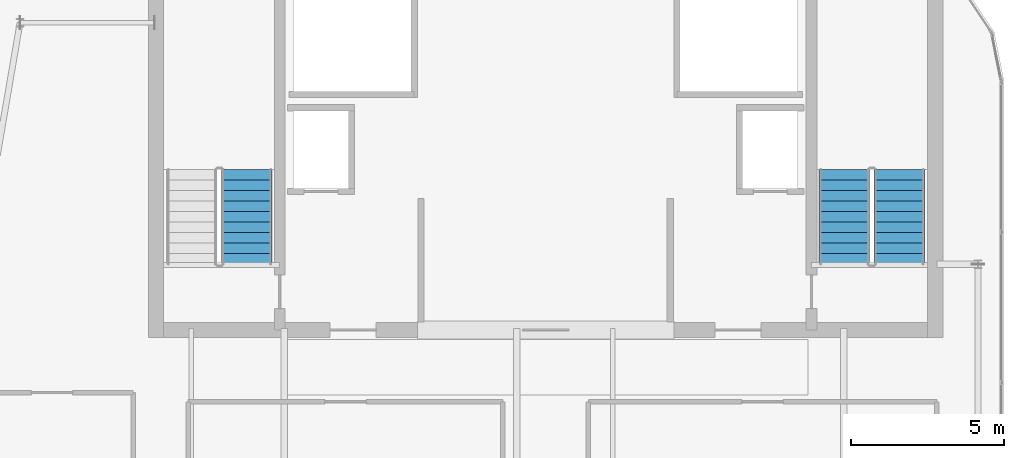
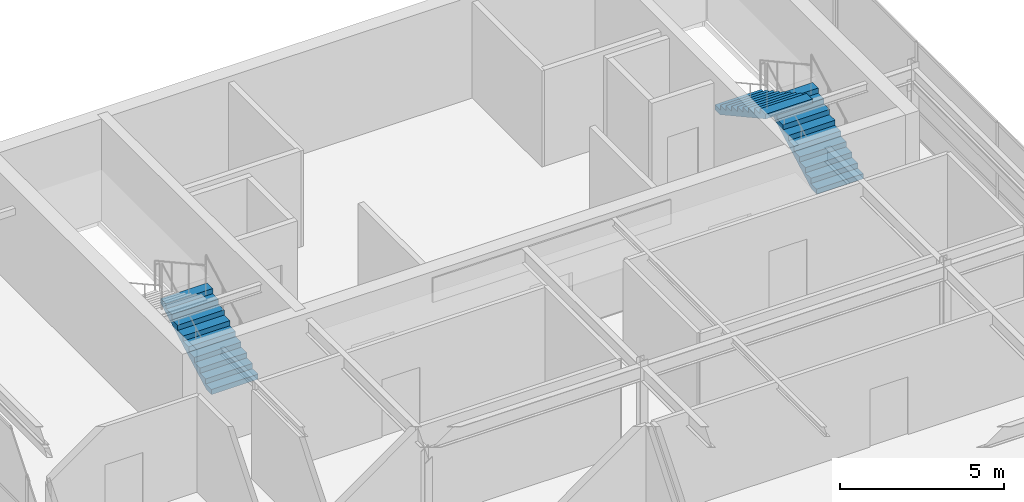
# One storey, part 35 of 36: 3 stair flights, 2 elements without a shape of their own.
"""IFC4 building model written with IfcOpenShell, lengths in metres."""

import ifcopenshell
import ifcopenshell.guid

model = None  # the IFC model being written
_history = None  # IfcOwnerHistory: only IFC2X3 demands one
_inside = {}  # id of a spatial element -> (the spatial element, [elements in it])
_under = {}  # id of a project, library or spatial element -> (it, [spatial elements below it])
_declared = {}  # id of a project -> (the project, [libraries it declares])
_typed = {}  # id of a type object -> (the type object, [elements of that type])
_made_of = {}  # id of a material, layer set ... -> (it, [elements and type objects made of it])


def new_model(schema):
    """Start an empty IFC model of exactly this schema.

    Asked for "IFC4X3", IfcOpenShell would pick the latest addendum, in which some entities
    have other attributes; the version numbers below select the first issue.
    IFC2X3 requires an IfcOwnerHistory on every rooted entity: one is made here for all.
    """
    global model, _history
    if schema == "IFC4X3":
        model = ifcopenshell.file(schema_version=(4, 3, 0, 0))
    else:
        model = ifcopenshell.file(schema=schema)
    _inside.clear()
    _under.clear()
    _declared.clear()
    _typed.clear()
    _made_of.clear()
    _history = None
    if model.schema == "IFC2X3":
        org = make("IfcOrganization", Name="unknown")
        user = make(
            "IfcPersonAndOrganization",
            ThePerson=make("IfcPerson", FamilyName="unknown"),
            TheOrganization=org,
        )
        app = make(
            "IfcApplication",
            ApplicationDeveloper=org,
            Version="unknown",
            ApplicationFullName="unknown",
            ApplicationIdentifier="unknown",
        )
        _history = make(
            "IfcOwnerHistory",
            OwningUser=user,
            OwningApplication=app,
            ChangeAction="ADDED",
            CreationDate=0,
        )
    return model


def make(cls, **values):
    """One entity of the class cls with the attributes given. An attribute that is None is left unset."""
    return model.create_entity(
        cls, **{name: value for name, value in values.items() if value is not None}
    )


def rooted(cls, **values):
    """An entity with a GlobalId (a new one), such as an element, a storey or a relation."""
    return make(cls, GlobalId=ifcopenshell.guid.new(), OwnerHistory=_history, **values)


def si_unit(unit_type, name, prefix=None):
    """IfcSIUnit, for example si_unit("LENGTHUNIT", "METRE", prefix="MILLI")."""
    return make("IfcSIUnit", UnitType=unit_type, Prefix=prefix, Name=name)


def assignment(units):
    """IfcUnitAssignment: the units of a project."""
    return None if units is None else make("IfcUnitAssignment", Units=units)


def point(xyz):
    """IfcCartesianPoint."""
    return None if xyz is None else make("IfcCartesianPoint", Coordinates=xyz)


def direction(xyz):
    """IfcDirection."""
    return None if xyz is None else make("IfcDirection", DirectionRatios=xyz)


def frame(location, z_axis=None, x_axis=None):
    """IfcAxis2Placement3D, a coordinate frame: its origin and axes. An axis left out is left unset."""
    return make(
        "IfcAxis2Placement3D",
        Location=point(location),
        Axis=direction(z_axis),
        RefDirection=direction(x_axis),
    )


def origin():
    """The frame at (0, 0, 0) with its axes left unset."""
    return frame((0.0, 0.0, 0.0))


def place(relative_to, where):
    """IfcLocalPlacement: puts the frame where relative to a parent placement (None: the world)."""
    return make(
        "IfcLocalPlacement", PlacementRelTo=relative_to, RelativePlacement=where
    )


def context(
    kind, dimensions, precision=None, world=None, true_north=None, identifier=None
):
    """IfcGeometricRepresentationContext, for example the 3D "Model" context."""
    return make(
        "IfcGeometricRepresentationContext",
        ContextIdentifier=identifier,
        ContextType=kind,
        CoordinateSpaceDimension=dimensions,
        Precision=precision,
        WorldCoordinateSystem=world,
        TrueNorth=true_north,
    )


def subcontext(parent, identifier, kind, view, scale=None):
    """IfcGeometricRepresentationSubContext, for example "Body" below "Model"."""
    return make(
        "IfcGeometricRepresentationSubContext",
        ContextIdentifier=identifier,
        ContextType=kind,
        ParentContext=parent,
        TargetScale=scale,
        TargetView=view,
    )


def project(units=None, contexts=None):
    """IfcProject with its units and contexts."""
    return rooted(
        "IfcProject",
        Name="project",
        RepresentationContexts=contexts,
        UnitsInContext=assignment(units),
    )


def spatial(cls, under=None, at=None, **own):
    """A site, building, storey or space (cls), placed at a placement, below another one or the project."""
    s = rooted(cls, ObjectPlacement=at, **own)
    if under is not None:
        _under.setdefault(under.id(), (under, []))[1].append(s)
    return s


def polyline(points):
    """IfcPolyline through the points."""
    return make("IfcPolyline", Points=[point(p) for p in points])


def outline(outer, holes=None, kind="AREA"):
    """IfcArbitraryClosedProfileDef: a profile drawn as a closed curve; with holes, ...WithVoids."""
    if holes is None:
        return make("IfcArbitraryClosedProfileDef", ProfileType=kind, OuterCurve=outer)
    return make(
        "IfcArbitraryProfileDefWithVoids",
        ProfileType=kind,
        OuterCurve=outer,
        InnerCurves=holes,
    )


def extrude(swept, where, along, depth):
    """IfcExtrudedAreaSolid: the profile swept, set in the frame where, extruded along a direction by depth."""
    return make(
        "IfcExtrudedAreaSolid",
        SweptArea=swept,
        Position=where,
        ExtrudedDirection=direction(along),
        Depth=depth,
    )


def shape(context_of_items, identifier, shape_type, items):
    """IfcShapeRepresentation: the items that make up one representation, for example the "Body"."""
    return make(
        "IfcShapeRepresentation",
        ContextOfItems=context_of_items,
        RepresentationIdentifier=identifier,
        RepresentationType=shape_type,
        Items=items,
    )


def material(Name=None, Category=None):
    """IfcMaterial."""
    return make("IfcMaterial", Name=Name, Category=Category)


def made_of(thing, what):
    """Note that an element or type object is made of a material, layer set ...; save() writes the relation."""
    if what is not None:
        _made_of.setdefault(what.id(), (what, []))[1].append(thing)
    return thing


def type_object(cls, material=None, **own):
    """A type object (cls), such as IfcWallType, which elements share."""
    return made_of(rooted(cls, **own), material)


def element(
    cls,
    number,
    at=None,
    inside=None,
    cuts=None,
    type_object=None,
    material=None,
    context=None,
    identifier="Body",
    shape_type=None,
    held_by="IfcProductDefinitionShape",
    body=None,
    shapes=None,
    **own,
):
    """One element of the class cls, such as IfcWall. Its Tag is "e" and its number.

    at: its placement. inside: the storey or other place that contains it. cuts: it is an
    opening in that element (IfcRelVoidsElement). A single representation is given by context,
    identifier, shape_type and body (its items); several are given by shapes. held_by: the class
    of the entity that holds the representations. save() writes the other relations.
    """
    e = rooted(cls, Tag="e%d" % number, ObjectPlacement=at, **own)
    if body is not None:
        shapes = [shape(context, identifier, shape_type, body)]
    if shapes is not None:
        e.Representation = make(held_by, Representations=shapes)
    if inside is not None:
        _inside.setdefault(inside.id(), (inside, []))[1].append(e)
    if cuts is not None:
        rooted(
            "IfcRelVoidsElement", RelatingBuildingElement=cuts, RelatedOpeningElement=e
        )
    if type_object is not None:
        _typed.setdefault(type_object.id(), (type_object, []))[1].append(e)
    return made_of(e, material)


def aggregate(whole, parts):
    """IfcRelAggregates: a whole, such as a stair, and the parts it consists of."""
    return rooted("IfcRelAggregates", RelatingObject=whole, RelatedObjects=parts)


def save(model, path):
    """Write the relations noted so far, then the file.

    IfcRelAggregates (storeys below a building ...), IfcRelContainedInSpatialStructure (elements
    in a storey), IfcRelDefinesByType, IfcRelAssociatesMaterial and IfcRelDeclares: one each for
    every whole, place, type object, material and project.
    """
    for whole, parts in _under.values():
        aggregate(whole, parts)
    for where, things in _inside.values():
        rooted(
            "IfcRelContainedInSpatialStructure",
            RelatedElements=things,
            RelatingStructure=where,
        )
    for kind, things in _typed.values():
        rooted("IfcRelDefinesByType", RelatedObjects=things, RelatingType=kind)
    for what, things in _made_of.values():
        rooted("IfcRelAssociatesMaterial", RelatedObjects=things, RelatingMaterial=what)
    for by, libraries in _declared.values():
        rooted("IfcRelDeclares", RelatingContext=by, RelatedDefinitions=libraries)
    model.write(path)


model = new_model("IFC4")

# Units and contexts
model_context = context("Model", 3, precision=1e-05, world=origin(), true_north=direction((0.0, 1.0)))
body_context = subcontext(model_context, "Body", "Model", "MODEL_VIEW")
ifc_project = project(units=[si_unit("LENGTHUNIT", "METRE"), si_unit("AREAUNIT", "SQUARE_METRE"), si_unit("VOLUMEUNIT", "CUBIC_METRE"), si_unit("PLANEANGLEUNIT", "RADIAN"), si_unit("MASSUNIT", "GRAM", prefix="KILO")], contexts=[model_context])

# Site, building, storey
site_placement = place(None, origin())
site = spatial("IfcSite", under=ifc_project, at=site_placement, CompositionType="ELEMENT")
building_placement = place(site_placement, origin())
building = spatial("IfcBuilding", under=site, at=building_placement, Name="Tolvann Quenvar Hotel", CompositionType="ELEMENT")
storey_placement = place(building_placement, frame((0.0, 0.0, 298.550048828125)))
storey = spatial("IfcBuildingStorey", under=building, at=storey_placement, Name="L79", CompositionType="ELEMENT", Elevation=298.550048828125)

# Stair, stair flight
ifc_material = material(Name="Concrete N40 (40 MPa)", Category="concrete")
stair_type = type_object("IfcStairType", Name="STAIR", PredefinedType="HALF_TURN_STAIR", material=ifc_material)
stair_1_placement = place(storey_placement, origin())
stair_1 = element("IfcStair", 1, at=stair_1_placement, inside=storey, type_object=stair_type, Name="L79 ST-C1", PredefinedType="HALF_TURN_STAIR")
stair_flight_type = type_object("IfcStairFlightType", Name="STAIR_FLIGHT", PredefinedType="STRAIGHT", material=ifc_material)
stair_flight_1_placement = place(storey_placement, frame((13.22509765625, 34.0, 0.0), z_axis=(0.0, 0.0, 1.0), x_axis=(0.0, 1.0, 0.0)))
stair_flight_1 = element("IfcStairFlight", 2, at=stair_flight_1_placement, type_object=stair_flight_type, Name="ST-C1 flight 1", NumberOfRisers=10, NumberOfTreads=9, PredefinedType="STRAIGHT", RiserHeight=0.19, TreadLength=0.345, context=body_context, shape_type="SweptSolid", body=[
    extrude(outline(polyline([(0.0, 0.0), (0.0, 0.18994140625), (0.344970703125, 0.18994140625), (0.344970703125, 0.3798828125), (0.68994140625, 0.3798828125), (0.68994140625, 0.570068359375), (1.034912109375, 0.570068359375), (1.034912109375, 0.760009765625), (1.3798828125, 0.760009765625), (1.3798828125, 0.949951171875), (1.72509765625, 0.949951171875), (1.72509765625, 1.139892578125), (2.070068359375, 1.139892578125), (2.070068359375, 1.330078125), (2.4150390625, 1.330078125), (2.4150390625, 1.52001953125), (2.760009765625, 1.52001953125), (2.760009765625, 1.7099609375), (3.10498046875, 1.7099609375), (3.10498046875, 1.89990234375), (3.10498046875, 1.538818359375), (0.310791015625, 0.0), (0.0, 0.0)])), frame((0.0, 0.824951171875, 0.0), z_axis=(0.0, -1.0, 0.0), x_axis=(1.0, 0.0, 0.0)), (0.0, 0.0, 1.0), 1.64990234375),
])
aggregate(stair_1, [stair_flight_1])

# Stair, stair flights
stair_2_placement = place(storey_placement, origin())
stair_2 = element("IfcStair", 3, at=stair_2_placement, inside=storey, type_object=stair_type, Name="L79 ST-C2", PredefinedType="HALF_TURN_STAIR")
stair_flight_2_placement = place(storey_placement, frame((34.574951171875, 34.0, 0.0), z_axis=(0.0, 0.0, 1.0), x_axis=(0.0, 1.0, 0.0)))
stair_flight_2 = element("IfcStairFlight", 4, at=stair_flight_2_placement, type_object=stair_flight_type, Name="ST-C2 flight 1", NumberOfRisers=10, NumberOfTreads=9, PredefinedType="STRAIGHT", RiserHeight=0.19, TreadLength=0.345, context=body_context, shape_type="SweptSolid", body=[
    extrude(outline(polyline([(0.0, 0.0), (0.0, 0.18994140625), (0.344970703125, 0.18994140625), (0.344970703125, 0.3798828125), (0.68994140625, 0.3798828125), (0.68994140625, 0.570068359375), (1.034912109375, 0.570068359375), (1.034912109375, 0.760009765625), (1.3798828125, 0.760009765625), (1.3798828125, 0.949951171875), (1.72509765625, 0.949951171875), (1.72509765625, 1.139892578125), (2.070068359375, 1.139892578125), (2.070068359375, 1.330078125), (2.4150390625, 1.330078125), (2.4150390625, 1.52001953125), (2.760009765625, 1.52001953125), (2.760009765625, 1.7099609375), (3.10498046875, 1.7099609375), (3.10498046875, 1.89990234375), (3.10498046875, 1.538818359375), (0.310791015625, 0.0), (0.0, 0.0)])), frame((0.0, 0.824951171875, 0.0), z_axis=(0.0, -1.0, 0.0), x_axis=(1.0, 0.0, 0.0)), (0.0, 0.0, 1.0), 1.64990234375),
])
stair_flight_3_placement = place(storey_placement, frame((32.77490234375, 37.10498046875, 1.89990234375), z_axis=(0.0, 0.0, 1.0), x_axis=(0.0, -1.0, 0.0)))
stair_flight_3 = element("IfcStairFlight", 5, at=stair_flight_3_placement, type_object=stair_flight_type, Name="ST-C2 flight 2", NumberOfRisers=10, NumberOfTreads=9, PredefinedType="STRAIGHT", RiserHeight=0.19, TreadLength=0.345, context=body_context, shape_type="SweptSolid", body=[
    extrude(outline(polyline([(0.0, 0.0), (0.0, 0.18994140625), (0.344970703125, 0.18994140625), (0.344970703125, 0.3798828125), (0.68994140625, 0.3798828125), (0.68994140625, 0.570068359375), (1.034912109375, 0.570068359375), (1.034912109375, 0.760009765625), (1.3798828125, 0.760009765625), (1.3798828125, 0.949951171875), (1.72509765625, 0.949951171875), (1.72509765625, 1.139892578125), (2.070068359375, 1.139892578125), (2.070068359375, 1.330078125), (2.4150390625, 1.330078125), (2.4150390625, 1.52001953125), (2.760009765625, 1.52001953125), (2.760009765625, 1.7099609375), (3.10498046875, 1.7099609375), (3.10498046875, 1.89990234375), (3.10498046875, 1.538818359375), (0.310791015625, 0.0), (0.0, 0.0)])), frame((0.0, 0.824951171875, 0.0), z_axis=(0.0, -1.0, 0.0), x_axis=(1.0, 0.0, 0.0)), (0.0, 0.0, 1.0), 1.64990234375),
])
aggregate(stair_2, [stair_flight_2, stair_flight_3])

save(model, "model.ifc")
